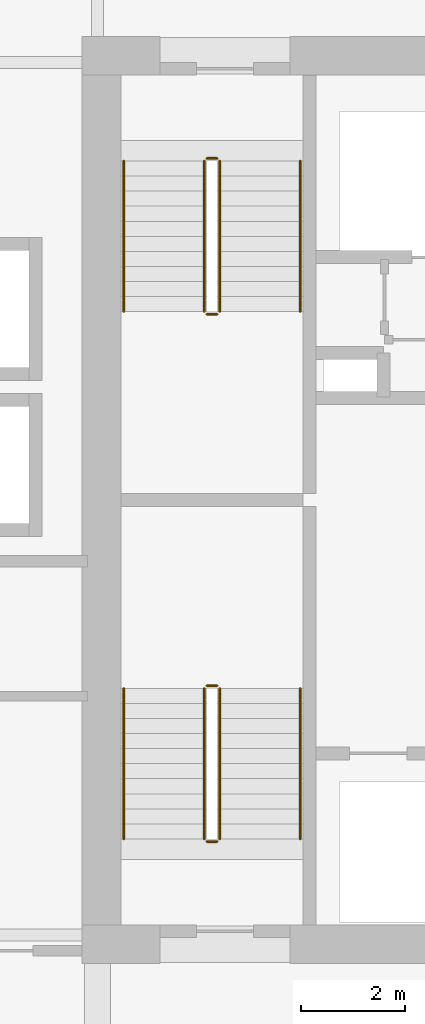
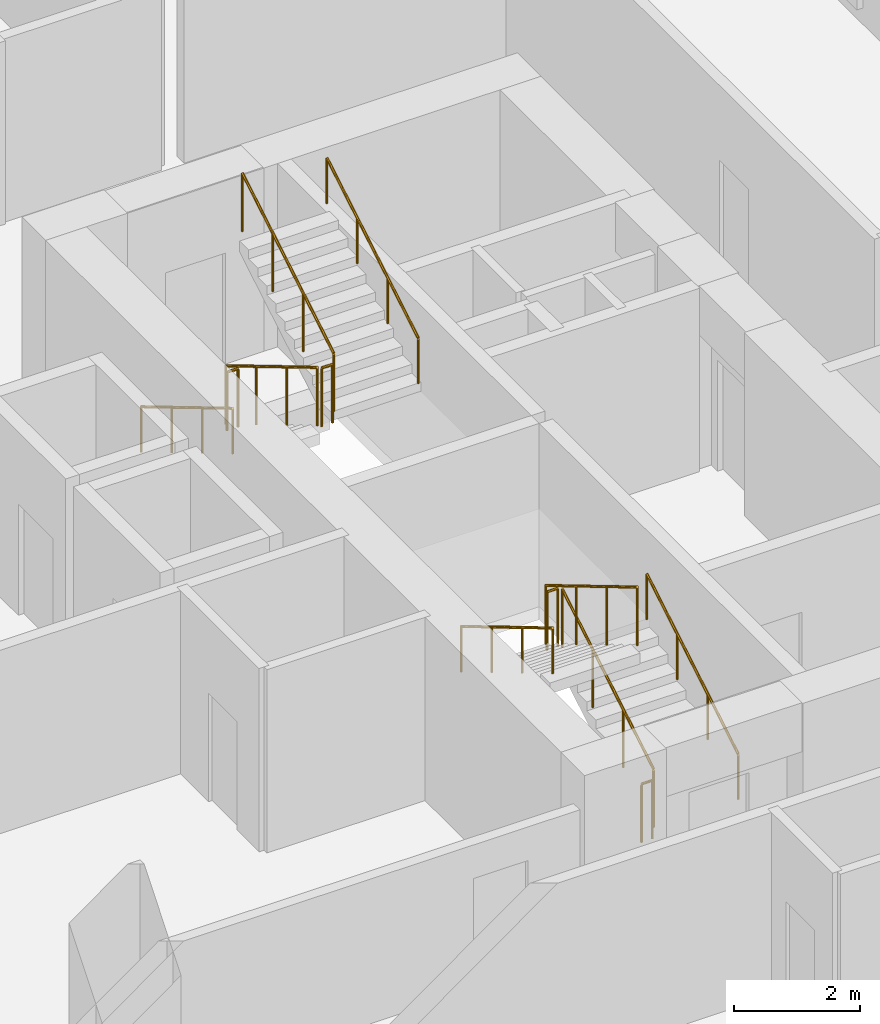
# One storey, part 20 of 21: 12 railings.
"""IFC4 building model written with IfcOpenShell, lengths in metres."""

from ifc_helpers import new_model, si_unit, direction, frame, origin, origin_2d, place, context, subcontext, project, spatial, circle, extrude, material, type_object, element, save


model = new_model("IFC4")

# Units and contexts
model_context = context("Model", 3, precision=1e-05, world=origin(), true_north=direction((0.0, 1.0)))
body_context = subcontext(model_context, "Body", "Model", "MODEL_VIEW")
ifc_project = project(units=[si_unit("LENGTHUNIT", "METRE"), si_unit("AREAUNIT", "SQUARE_METRE"), si_unit("VOLUMEUNIT", "CUBIC_METRE"), si_unit("PLANEANGLEUNIT", "RADIAN"), si_unit("MASSUNIT", "GRAM", prefix="KILO")], contexts=[model_context])

# Site, building, storey
site_placement = place(None, origin())
site = spatial("IfcSite", under=ifc_project, at=site_placement, CompositionType="ELEMENT")
building_placement = place(site_placement, origin())
building = spatial("IfcBuilding", under=site, at=building_placement, Name="Koriwani Terraces Tower", CompositionType="ELEMENT")
storey_placement = place(building_placement, frame((0.0, 0.0, 111.39990234375)))
storey = spatial("IfcBuildingStorey", under=building, at=storey_placement, Name="L26", CompositionType="ELEMENT", Elevation=111.39990234375)

# Railings
ifc_material = material(Name="Steel ASTM A572 Grade 50", Category="steel")
railing_type_1 = type_object("IfcRailingType", Name="GUARD_STAIR_WELL_1120", PredefinedType="GUARDRAIL", material=ifc_material)
railing_1_placement = place(storey_placement, frame((19.14990234375, 43.85009765625, 0.1728515625)))
element("IfcRailing", 1, at=railing_1_placement, inside=storey, type_object=railing_type_1, Name="L26 ST-W1 stair guard 1", PredefinedType="GUARDRAIL", context=body_context, shape_type="SweptSolid", body=[
    extrude(circle(Radius=0.02392578125, at=origin_2d()), frame((0.0, 0.0, 1.1259765625), z_axis=(0.0, 0.859141464434, 0.511738159696), x_axis=(-1.0, 0.0, 0.0)), (0.0, 0.0, 1.0), 3.375244140625),
    extrude(circle(Radius=0.02099609375, at=origin_2d()), origin(), (0.0, 0.0, 1.0), 1.101806640625),
    extrude(circle(Radius=0.02099609375, at=origin_2d()), frame((0.0, 0.966552734375, 0.57568359375)), (0.0, 0.0, 1.0), 1.101806640625),
    extrude(circle(Radius=0.02099609375, at=origin_2d()), frame((0.0, 1.933349609375, 1.151611328125)), (0.0, 0.0, 1.0), 1.101806640625),
    extrude(circle(Radius=0.02099609375, at=origin_2d()), frame((0.0, 2.89990234375, 1.727294921875)), (0.0, 0.0, 1.0), 1.101806640625),
])
railing_2_placement = place(storey_placement, frame((19.10009765625, 46.800048828125, 1.900146484375)))
element("IfcRailing", 2, at=railing_2_placement, inside=storey, type_object=railing_type_1, Name="L26 ST-W1 stair guard 2", PredefinedType="GUARDRAIL", context=body_context, shape_type="SweptSolid", body=[
    extrude(circle(Radius=0.02392578125, at=origin_2d()), frame((0.0, 0.0, 1.1259765625), z_axis=(-1.0, 0.0, 0.0), x_axis=(0.0, -1.0, 0.0)), (0.0, 0.0, 1.0), 0.2001953125),
    extrude(circle(Radius=0.02099609375, at=origin_2d()), origin(), (0.0, 0.0, 1.0), 1.101806640625),
    extrude(circle(Radius=0.02099609375, at=origin_2d()), frame((-0.2001953125, 0.0, 0.0)), (0.0, 0.0, 1.0), 1.101806640625),
])
railing_3_placement = place(storey_placement, frame((18.85009765625, 46.75, 2.07275390625)))
element("IfcRailing", 3, at=railing_3_placement, inside=storey, type_object=railing_type_1, Name="L26 ST-W1 stair guard 3", PredefinedType="GUARDRAIL", context=body_context, shape_type="SweptSolid", body=[
    extrude(circle(Radius=0.02392578125, at=origin_2d()), frame((0.0, 0.0, 1.1259765625), z_axis=(0.0, -0.859141464434, 0.511738159696), x_axis=(1.0, 0.0, 0.0)), (0.0, 0.0, 1.0), 3.375244140625),
    extrude(circle(Radius=0.02099609375, at=origin_2d()), origin(), (0.0, 0.0, 1.0), 1.101806640625),
    extrude(circle(Radius=0.02099609375, at=origin_2d()), frame((0.0, -0.966552734375, 0.57568359375)), (0.0, 0.0, 1.0), 1.101806640625),
    extrude(circle(Radius=0.02099609375, at=origin_2d()), frame((0.0, -1.933349609375, 1.151611328125)), (0.0, 0.0, 1.0), 1.101806640625),
    extrude(circle(Radius=0.02099609375, at=origin_2d()), frame((0.0, -2.89990234375, 1.727294921875)), (0.0, 0.0, 1.0), 1.101806640625),
])
railing_4_placement = place(storey_placement, frame((19.10009765625, 43.800048828125, 0.0)))
element("IfcRailing", 4, at=railing_4_placement, inside=storey, type_object=railing_type_1, Name="L26 ST-W1 stair guard 4", PredefinedType="GUARDRAIL", context=body_context, shape_type="SweptSolid", body=[
    extrude(circle(Radius=0.02392578125, at=origin_2d()), frame((0.0, 0.0, 1.1259765625), z_axis=(-1.0, 0.0, 0.0), x_axis=(0.0, -1.0, 0.0)), (0.0, 0.0, 1.0), 0.2001953125),
    extrude(circle(Radius=0.02099609375, at=origin_2d()), origin(), (0.0, 0.0, 1.0), 1.101806640625),
    extrude(circle(Radius=0.02099609375, at=origin_2d()), frame((-0.2001953125, 0.0, 0.0)), (0.0, 0.0, 1.0), 1.101806640625),
])
railing_5_placement = place(storey_placement, frame((18.85009765625, 56.89990234375, 0.1728515625)))
element("IfcRailing", 5, at=railing_5_placement, inside=storey, type_object=railing_type_1, Name="L26 ST-W2 stair guard 1", PredefinedType="GUARDRAIL", context=body_context, shape_type="SweptSolid", body=[
    extrude(circle(Radius=0.02392578125, at=origin_2d()), frame((0.0, 0.0, 1.1259765625), z_axis=(0.0, -0.859141464434, 0.511738159696), x_axis=(1.0, 0.0, 0.0)), (0.0, 0.0, 1.0), 3.375244140625),
    extrude(circle(Radius=0.02099609375, at=origin_2d()), origin(), (0.0, 0.0, 1.0), 1.101806640625),
    extrude(circle(Radius=0.02099609375, at=origin_2d()), frame((0.0, -0.966552734375, 0.57568359375)), (0.0, 0.0, 1.0), 1.101806640625),
    extrude(circle(Radius=0.02099609375, at=origin_2d()), frame((0.0, -1.933349609375, 1.151611328125)), (0.0, 0.0, 1.0), 1.101806640625),
    extrude(circle(Radius=0.02099609375, at=origin_2d()), frame((0.0, -2.89990234375, 1.727294921875)), (0.0, 0.0, 1.0), 1.101806640625),
])
railing_6_placement = place(storey_placement, frame((18.89990234375, 53.949951171875, 1.900146484375)))
element("IfcRailing", 6, at=railing_6_placement, inside=storey, type_object=railing_type_1, Name="L26 ST-W2 stair guard 2", PredefinedType="GUARDRAIL", context=body_context, shape_type="SweptSolid", body=[
    extrude(circle(Radius=0.02392578125, at=origin_2d()), frame((0.0, 0.0, 1.1259765625), z_axis=(1.0, 0.0, 0.0), x_axis=(0.0, 1.0, 0.0)), (0.0, 0.0, 1.0), 0.2001953125),
    extrude(circle(Radius=0.02099609375, at=origin_2d()), origin(), (0.0, 0.0, 1.0), 1.101806640625),
    extrude(circle(Radius=0.02099609375, at=origin_2d()), frame((0.2001953125, 0.0, 0.0)), (0.0, 0.0, 1.0), 1.101806640625),
])
railing_7_placement = place(storey_placement, frame((19.14990234375, 54.0, 2.07275390625)))
element("IfcRailing", 7, at=railing_7_placement, inside=storey, type_object=railing_type_1, Name="L26 ST-W2 stair guard 3", PredefinedType="GUARDRAIL", context=body_context, shape_type="SweptSolid", body=[
    extrude(circle(Radius=0.02392578125, at=origin_2d()), frame((0.0, 0.0, 1.1259765625), z_axis=(0.0, 0.859141464434, 0.511738159696), x_axis=(-1.0, 0.0, 0.0)), (0.0, 0.0, 1.0), 3.375244140625),
    extrude(circle(Radius=0.02099609375, at=origin_2d()), origin(), (0.0, 0.0, 1.0), 1.101806640625),
    extrude(circle(Radius=0.02099609375, at=origin_2d()), frame((0.0, 0.966552734375, 0.57568359375)), (0.0, 0.0, 1.0), 1.101806640625),
    extrude(circle(Radius=0.02099609375, at=origin_2d()), frame((0.0, 1.933349609375, 1.151611328125)), (0.0, 0.0, 1.0), 1.101806640625),
    extrude(circle(Radius=0.02099609375, at=origin_2d()), frame((0.0, 2.89990234375, 1.727294921875)), (0.0, 0.0, 1.0), 1.101806640625),
])
railing_8_placement = place(storey_placement, frame((18.89990234375, 56.949951171875, 0.0)))
element("IfcRailing", 8, at=railing_8_placement, inside=storey, type_object=railing_type_1, Name="L26 ST-W2 stair guard 4", PredefinedType="GUARDRAIL", context=body_context, shape_type="SweptSolid", body=[
    extrude(circle(Radius=0.02392578125, at=origin_2d()), frame((0.0, 0.0, 1.1259765625), z_axis=(1.0, 0.0, 0.0), x_axis=(0.0, 1.0, 0.0)), (0.0, 0.0, 1.0), 0.2001953125),
    extrude(circle(Radius=0.02099609375, at=origin_2d()), origin(), (0.0, 0.0, 1.0), 1.101806640625),
    extrude(circle(Radius=0.02099609375, at=origin_2d()), frame((0.2001953125, 0.0, 0.0)), (0.0, 0.0, 1.0), 1.101806640625),
])
railing_type_2 = type_object("IfcRailingType", Name="HANDRAIL_STAIR_920", PredefinedType="HANDRAIL", material=ifc_material)
railing_9_placement = place(storey_placement, frame((20.699951171875, 43.85009765625, 0.1728515625)))
element("IfcRailing", 9, at=railing_9_placement, inside=storey, type_object=railing_type_2, Name="L26 ST-W1 stair handrail 1", PredefinedType="HANDRAIL", context=body_context, shape_type="SweptSolid", body=[
    extrude(circle(Radius=0.02392578125, at=origin_2d()), frame((0.0, 0.0, 0.8759765625), z_axis=(0.0, 0.859141464434, 0.511738159696), x_axis=(-1.0, 0.0, 0.0)), (0.0, 0.0, 1.0), 3.375244140625),
    extrude(circle(Radius=0.02099609375, at=origin_2d()), origin(), (0.0, 0.0, 1.0), 0.851806640625),
    extrude(circle(Radius=0.02099609375, at=origin_2d()), frame((0.0, 0.966552734375, 0.57568359375)), (0.0, 0.0, 1.0), 0.851806640625),
    extrude(circle(Radius=0.02099609375, at=origin_2d()), frame((0.0, 1.933349609375, 1.151611328125)), (0.0, 0.0, 1.0), 0.851806640625),
    extrude(circle(Radius=0.02099609375, at=origin_2d()), frame((0.0, 2.89990234375, 1.727294921875)), (0.0, 0.0, 1.0), 0.851806640625),
])
for number, where, name in (
    (10, (17.300048828125, 46.75, 2.07275390625), "L26 ST-W1 stair handrail 2"),
    (11, (17.300048828125, 56.89990234375, 0.1728515625), "L26 ST-W2 stair handrail 1"),
):
    element("IfcRailing", number, at=place(storey_placement, frame(where)), inside=storey, type_object=railing_type_2, Name=name, PredefinedType="HANDRAIL", context=body_context, shape_type="SweptSolid", body=[
        extrude(circle(Radius=0.02392578125, at=origin_2d()), frame((0.0, 0.0, 0.8759765625), z_axis=(0.0, -0.859141464434, 0.511738159696), x_axis=(1.0, 0.0, 0.0)), (0.0, 0.0, 1.0), 3.375244140625),
        extrude(circle(Radius=0.02099609375, at=origin_2d()), origin(), (0.0, 0.0, 1.0), 0.851806640625),
        extrude(circle(Radius=0.02099609375, at=origin_2d()), frame((0.0, -0.966552734375, 0.57568359375)), (0.0, 0.0, 1.0), 0.851806640625),
        extrude(circle(Radius=0.02099609375, at=origin_2d()), frame((0.0, -1.933349609375, 1.151611328125)), (0.0, 0.0, 1.0), 0.851806640625),
        extrude(circle(Radius=0.02099609375, at=origin_2d()), frame((0.0, -2.89990234375, 1.727294921875)), (0.0, 0.0, 1.0), 0.851806640625),
    ])
railing_10_placement = place(storey_placement, frame((20.699951171875, 54.0, 2.07275390625)))
element("IfcRailing", 12, at=railing_10_placement, inside=storey, type_object=railing_type_2, Name="L26 ST-W2 stair handrail 2", PredefinedType="HANDRAIL", context=body_context, shape_type="SweptSolid", body=[
    extrude(circle(Radius=0.02392578125, at=origin_2d()), frame((0.0, 0.0, 0.8759765625), z_axis=(0.0, 0.859141464434, 0.511738159696), x_axis=(-1.0, 0.0, 0.0)), (0.0, 0.0, 1.0), 3.375244140625),
    extrude(circle(Radius=0.02099609375, at=origin_2d()), origin(), (0.0, 0.0, 1.0), 0.851806640625),
    extrude(circle(Radius=0.02099609375, at=origin_2d()), frame((0.0, 0.966552734375, 0.57568359375)), (0.0, 0.0, 1.0), 0.851806640625),
    extrude(circle(Radius=0.02099609375, at=origin_2d()), frame((0.0, 1.933349609375, 1.151611328125)), (0.0, 0.0, 1.0), 0.851806640625),
    extrude(circle(Radius=0.02099609375, at=origin_2d()), frame((0.0, 2.89990234375, 1.727294921875)), (0.0, 0.0, 1.0), 0.851806640625),
])

save(model, "model.ifc")
